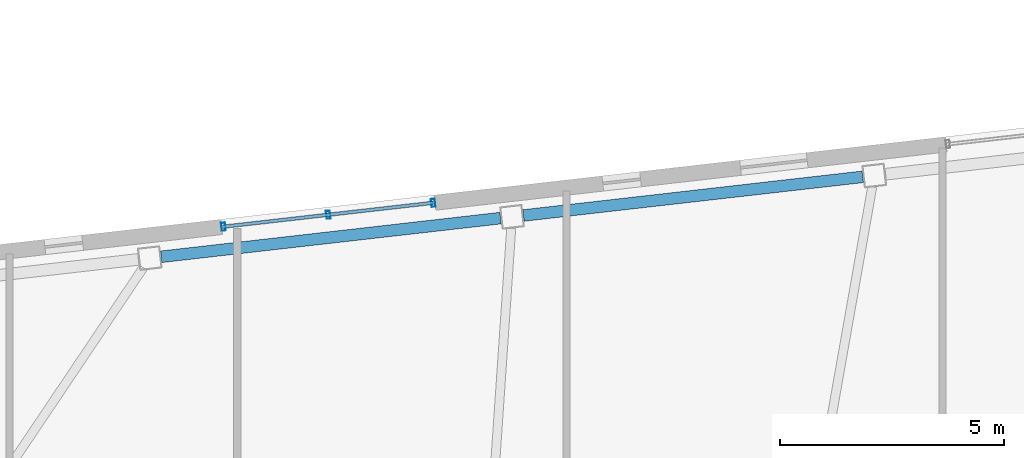
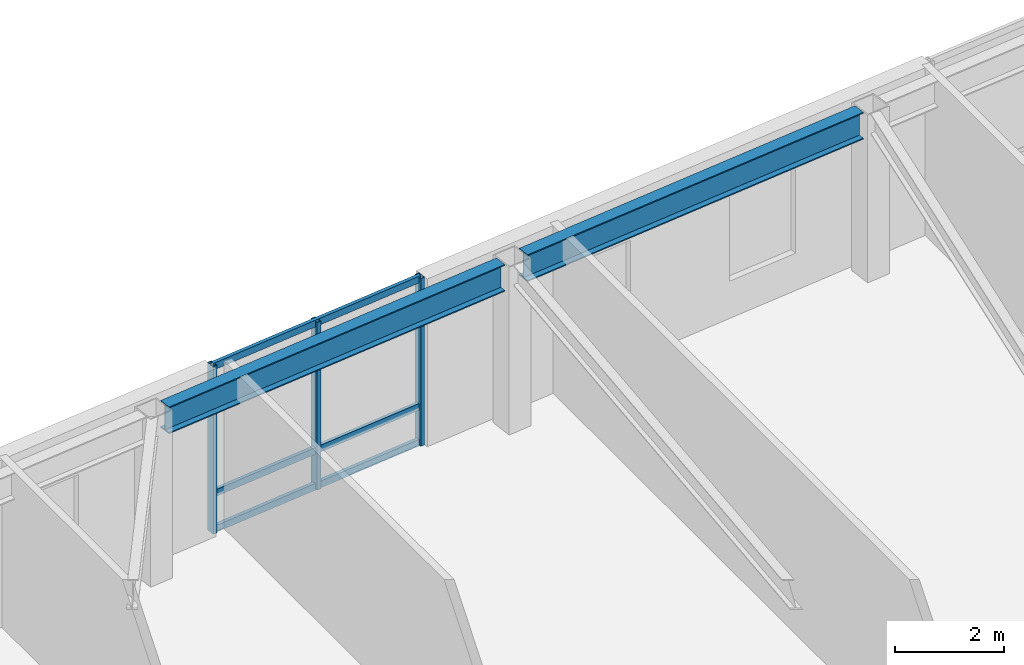
# One storey, part 8 of 18: 6 members, 2 beams, 1 element without a shape of its own.
"""IFC4 building model written with IfcOpenShell, lengths in metres."""

from ifc_helpers import new_model, si_unit, direction, frame, origin, origin_2d, place, context, subcontext, project, spatial, hollow_rectangle, i_section, extrude, material, layer, layer_set, material_profile, profile_set, type_object, element, aggregate, save


model = new_model("IFC4")

# Units and contexts
model_context = context("Model", 3, precision=1e-05, world=origin(), true_north=direction((0.0, 1.0)))
body_context = subcontext(model_context, "Body", "Model", "MODEL_VIEW")
ifc_project = project(units=[si_unit("LENGTHUNIT", "METRE"), si_unit("AREAUNIT", "SQUARE_METRE"), si_unit("VOLUMEUNIT", "CUBIC_METRE"), si_unit("PLANEANGLEUNIT", "RADIAN"), si_unit("MASSUNIT", "GRAM", prefix="KILO")], contexts=[model_context])

# Site, building, storey
site_placement = place(None, origin())
site = spatial("IfcSite", under=ifc_project, at=site_placement, CompositionType="ELEMENT")
building_placement = place(site_placement, origin())
building = spatial("IfcBuilding", under=site, at=building_placement, Name="Tavrogorsk Clinical Tower", CompositionType="ELEMENT")
storey_placement = place(building_placement, frame((0.0, 0.0, 230.199951171875)))
storey = spatial("IfcBuildingStorey", under=building, at=storey_placement, Name="L53", CompositionType="ELEMENT", Elevation=230.199951171875)

# Curtain wall, members
ifc_material_1 = material(Name="Anodised aluminium and triple IGU glazing", Category="aluminium")
ifc_layer = layer(ifc_material_1, 0.179931640625)
ifc_layer_set = layer_set([ifc_layer], Name="Anodised aluminium and triple IGU glazing")
curtain_wall_type = type_object("IfcCurtainWallType", Name="CW2_NorthSlot", PredefinedType="NOTDEFINED", material=ifc_layer_set)
curtain_wall_placement = place(storey_placement, origin())
curtain_wall = element("IfcCurtainWall", 1, at=curtain_wall_placement, inside=storey, type_object=curtain_wall_type, Name="L53 Curtain Wall CW-L53-N-SLOT-1", PredefinedType="NOTDEFINED")
ifc_material_2 = material(Name="Anodised aluminium alloy AW-6060", Category="aluminium")
ifc_material_profile_1 = material_profile(ifc_material_2, hollow_rectangle(XDim=0.090087890625, YDim=0.179931640625, WallThickness=0.00634765625, at=origin_2d()), Name="RHS-180x90x6.3")
ifc_profile_set_1 = profile_set([ifc_material_profile_1], Name="Anodised aluminium alloy AW-6060")
member_type_1 = type_object("IfcMemberType", Name="CwMullion_180x90", PredefinedType="MULLION", material=ifc_profile_set_1)
member_1_placement = place(storey_placement, frame((-10.781982421875, 25.42529296875, 0.0), z_axis=(0.0, 0.0, 1.0), x_axis=(-0.993571855603, -0.11320321441, 0.0)))
member_1 = element("IfcMember", 2, at=member_1_placement, type_object=member_type_1, Name="CW-L53-N-SLOT-1 Mullion 1", PredefinedType="MULLION", context=body_context, shape_type="SweptSolid", body=[
    extrude(hollow_rectangle(XDim=0.090087890625, YDim=0.179931640625, WallThickness=0.00634765625, at=origin_2d()), origin(), (0.0, 0.0, 1.0), 3.739990234375),
])
member_2_placement = place(storey_placement, frame((-13.1259765625, 25.158203125, 0.0), z_axis=(0.0, 0.0, 1.0), x_axis=(-0.993571855603, -0.11320321441, 0.0)))
member_2 = element("IfcMember", 3, at=member_2_placement, type_object=member_type_1, Name="CW-L53-N-SLOT-1 Mullion 2", PredefinedType="MULLION", context=body_context, shape_type="SweptSolid", body=[
    extrude(hollow_rectangle(XDim=0.090087890625, YDim=0.179931640625, WallThickness=0.00634765625, at=origin_2d()), origin(), (0.0, 0.0, 1.0), 3.739990234375),
])
member_3_placement = place(storey_placement, frame((-15.4697265625, 24.89111328125, 0.0), z_axis=(0.0, 0.0, 1.0), x_axis=(-0.993571855603, -0.11320321441, 0.0)))
member_3 = element("IfcMember", 4, at=member_3_placement, type_object=member_type_1, Name="CW-L53-N-SLOT-1 Mullion 3", PredefinedType="MULLION", context=body_context, shape_type="SweptSolid", body=[
    extrude(hollow_rectangle(XDim=0.090087890625, YDim=0.179931640625, WallThickness=0.00634765625, at=origin_2d()), origin(), (0.0, 0.0, 1.0), 3.739990234375),
])
ifc_material_3 = material(Name="Anodised aluminium alloy AW-6060", Category="aluminium")
ifc_material_profile_2 = material_profile(ifc_material_3, hollow_rectangle(XDim=0.074951171875, YDim=0.14990234375, WallThickness=0.0048828125, at=origin_2d()), Name="RHS-150x75x5")
ifc_profile_set_2 = profile_set([ifc_material_profile_2], Name="Anodised aluminium alloy AW-6060")
member_type_2 = type_object("IfcMemberType", Name="CwTransom_150x75", PredefinedType="USERDEFINED", material=ifc_profile_set_2)
member_4_placement = place(storey_placement, frame((-10.781982421875, 25.42529296875, 0.050048828125), z_axis=(-0.993569979218, -0.113219682023, 0.0), x_axis=(0.113219682023, -0.993569979218, 0.0)))
member_4 = element("IfcMember", 5, at=member_4_placement, type_object=member_type_2, Name="CW-L53-N-SLOT-1 Transom 1", ObjectType="TRANSOM", PredefinedType="USERDEFINED", context=body_context, shape_type="SweptSolid", body=[
    extrude(hollow_rectangle(XDim=0.074951171875, YDim=0.14990234375, WallThickness=0.0048828125, at=origin_2d()), origin(), (0.0, 0.0, 1.0), 4.718017578125),
])
member_5_placement = place(storey_placement, frame((-10.781982421875, 25.42529296875, 0.85009765625), z_axis=(-0.993569979218, -0.113219682023, 0.0), x_axis=(0.113219682023, -0.993569979218, 0.0)))
member_5 = element("IfcMember", 6, at=member_5_placement, type_object=member_type_2, Name="CW-L53-N-SLOT-1 Transom 2", ObjectType="TRANSOM", PredefinedType="USERDEFINED", context=body_context, shape_type="SweptSolid", body=[
    extrude(hollow_rectangle(XDim=0.074951171875, YDim=0.14990234375, WallThickness=0.0048828125, at=origin_2d()), origin(), (0.0, 0.0, 1.0), 4.718017578125),
])
member_6_placement = place(storey_placement, frame((-10.781982421875, 25.42529296875, 3.68994140625), z_axis=(-0.993569979218, -0.113219682023, 0.0), x_axis=(0.113219682023, -0.993569979218, 0.0)))
member_6 = element("IfcMember", 7, at=member_6_placement, type_object=member_type_2, Name="CW-L53-N-SLOT-1 Transom 3", ObjectType="TRANSOM", PredefinedType="USERDEFINED", context=body_context, shape_type="SweptSolid", body=[
    extrude(hollow_rectangle(XDim=0.074951171875, YDim=0.14990234375, WallThickness=0.0048828125, at=origin_2d()), origin(), (0.0, 0.0, 1.0), 4.718017578125),
])
aggregate(curtain_wall, [member_1, member_2, member_3, member_4, member_5, member_6])

# Beams
ifc_material_4 = material(Name="Structural steel S390", Category="steel")
ifc_material_profile_3 = material_profile(ifc_material_4, i_section(OverallWidth=0.260009765625, OverallDepth=0.60009765625, WebThickness=0.014892578125, FlangeThickness=0.02392578125, at=origin_2d()), Name="B-600x260x15x24")
ifc_profile_set_3 = profile_set([ifc_material_profile_3], Name="Structural steel S390")
beam_type = type_object("IfcBeamType", Name="SpandrelBeam_B600", PredefinedType="SPANDREL", material=ifc_profile_set_3)
for number, where, z_axis, x_axis, name in (
    (8, (-1.18017578125, 26.006103515625, 3.43994140625), (-0.993568501687, -0.113232647478, 0.0), (0.113232647478, -0.993568501687, 0.0), "L53 Perimeter Spandrel N4-N5"),
    (9, (-9.2763671875, 25.08349609375, 3.43994140625), (-0.993572099834, -0.113201070804, 0.0), (0.113201070804, -0.993572099834, 0.0), "L53 Perimeter Spandrel N5-N6"),
):
    element("IfcBeam", number, at=place(storey_placement, frame(where, z_axis=z_axis, x_axis=x_axis)), inside=storey, type_object=beam_type, Name=name, PredefinedType="SPANDREL", context=body_context, shape_type="SweptSolid", body=[
        extrude(i_section(OverallWidth=0.260009765625, OverallDepth=0.60009765625, WebThickness=0.014892578125, FlangeThickness=0.02392578125, at=origin_2d()), origin(), (0.0, 0.0, 1.0), 7.632568359375),
    ])

save(model, "model.ifc")
